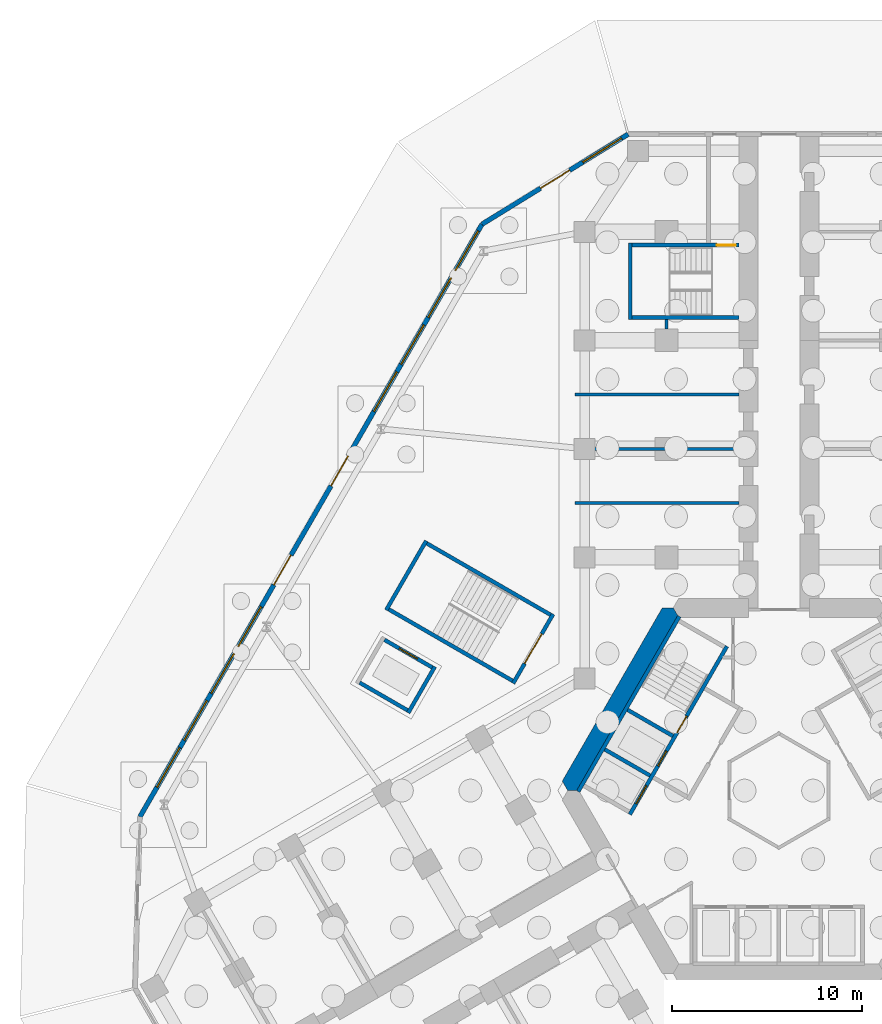
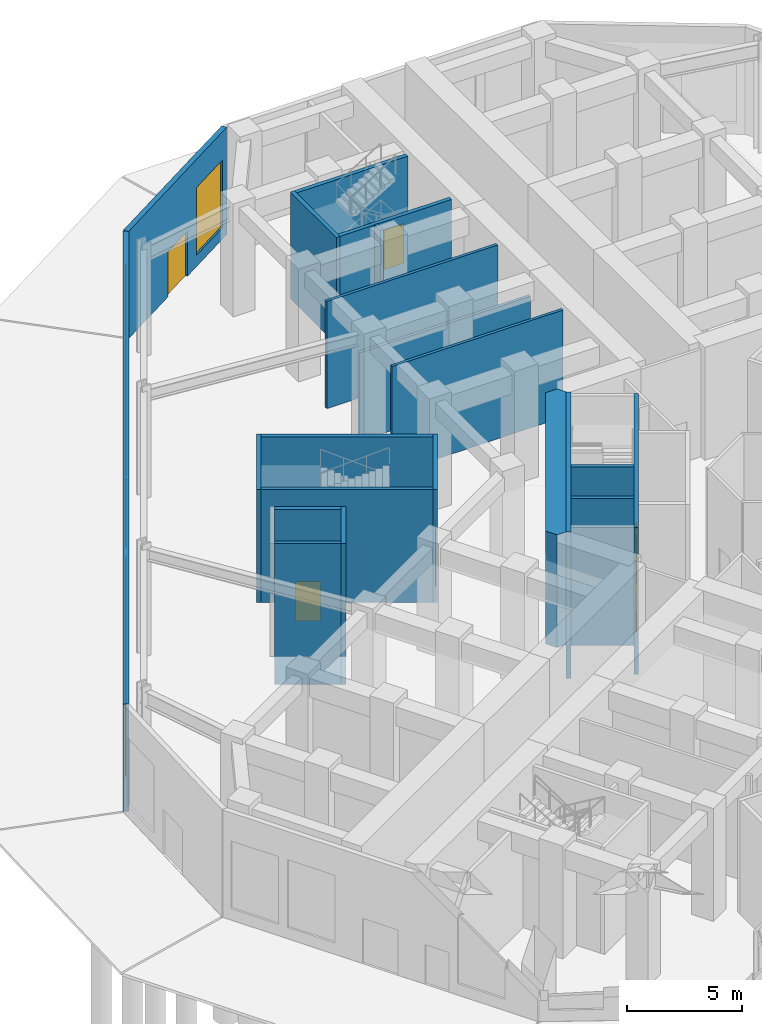
# One storey, part 8 of 16: 21 walls, 9 doors, 9 windows, 18 openings.
"""IFC4 building model written with IfcOpenShell, lengths in metres."""

from ifc_helpers import new_model, si_unit, direction, frame, frame_2d, origin, place, context, subcontext, project, spatial, polyline, rectangle, outline, extrude, material, layer, layer_set, type_object, element, fill, save


model = new_model("IFC4")

# Units and contexts
model_context = context("Model", 3, precision=1e-05, world=origin(), true_north=direction((0.0, 1.0)))
body_context = subcontext(model_context, "Body", "Model", "MODEL_VIEW")
ifc_project = project(units=[si_unit("LENGTHUNIT", "METRE"), si_unit("AREAUNIT", "SQUARE_METRE"), si_unit("VOLUMEUNIT", "CUBIC_METRE"), si_unit("PLANEANGLEUNIT", "RADIAN"), si_unit("MASSUNIT", "GRAM", prefix="KILO")], contexts=[model_context])

# Site, building, storey
site_placement = place(None, origin())
site = spatial("IfcSite", under=ifc_project, at=site_placement, CompositionType="ELEMENT")
building_placement = place(site_placement, origin())
building = spatial("IfcBuilding", under=site, at=building_placement, Name="Kosmar Iwan School Tower", CompositionType="ELEMENT")
storey_placement = place(building_placement, origin())
storey = spatial("IfcBuildingStorey", under=building, at=storey_placement, Name="L00", CompositionType="ELEMENT", Elevation=0.0)

# Wall
ifc_material_1 = material(Name="Concrete C50/60", Category="concrete")
ifc_layer_1 = layer(ifc_material_1, 1.0)
ifc_layer_set_1 = layer_set([ifc_layer_1], Name="Core wall 1000")
wall_type_1 = type_object("IfcWallType", Name="Core wall 1000", PredefinedType="SHEAR", material=ifc_layer_set_1)
wall_1_placement = place(storey_placement, origin())
element("IfcWall", 1, at=wall_1_placement, inside=storey, type_object=wall_type_1, Name="Core wall F150", PredefinedType="SHEAR", context=body_context, shape_type="SweptSolid", body=[
    extrude(outline(polyline([(-11.085205078125, 0.0), (-10.5078125, 0.0), (-5.25390625, 9.10009765625), (-5.54248046875, 9.60009765625), (-6.119873046875, 9.60009765625), (-11.373779296875, 0.5), (-11.085205078125, 0.0)])), origin(), (0.0, 0.0, 1.0), 6.0),
])

# Wall, openings, door, window
ifc_material_2 = material(Name="Black steel framed glazed screen", Category="steel")
ifc_layer_2 = layer(ifc_material_2, 0.25)
ifc_layer_set_2 = layer_set([ifc_layer_2], Name="Entrance screen wall 250")
wall_type_2 = type_object("IfcWallType", Name="Entrance screen wall 250", PredefinedType="SOLIDWALL", material=ifc_layer_set_2)
wall_2_placement = place(storey_placement, frame((-7.91455078125, 34.47509765625, 0.0), z_axis=(0.0, 0.0, 1.0), x_axis=(-0.851479708041, -0.524387554004, 0.0)))
wall_2 = element("IfcWall", 2, at=wall_2_placement, inside=storey, type_object=wall_type_2, Name="Entrance screen L00 L00-F07", PredefinedType="SOLIDWALL", context=body_context, shape_type="SweptSolid", body=[
    extrude(rectangle(XDim=9.013427734375, YDim=0.25, at=frame_2d((4.5068359375, 0.0))), origin(), (0.0, 0.0, 1.0), 5.699951171875),
])
opening_1_placement = place(wall_2_placement, frame((3.606689453125, 0.0, 0.0)))
opening_1 = element("IfcOpeningElement", 3, at=opening_1_placement, cuts=wall_2, Name="Opening D10", PredefinedType="OPENING", context=body_context, shape_type="SweptSolid", body=[
    extrude(rectangle(XDim=1.800048828125, YDim=2.39990234375, at=frame_2d((0.89990234375, 1.199951171875))), frame((0.0, 0.136962890625, 0.0), z_axis=(0.0, -1.0, 0.0), x_axis=(1.0, 0.0, 0.0)), (0.0, 0.0, 1.0), 0.27392578125),
])
opening_2_placement = place(wall_2_placement, frame((0.39990234375, 0.0, 0.60009765625)))
opening_2 = element("IfcOpeningElement", 4, at=opening_2_placement, cuts=wall_2, Name="Opening W3", PredefinedType="OPENING", context=body_context, shape_type="SweptSolid", body=[
    extrude(rectangle(XDim=2.39990234375, YDim=3.60009765625, at=frame_2d((1.199951171875, 1.800048828125))), frame((0.0, 0.136962890625, 0.0), z_axis=(0.0, -1.0, 0.0), x_axis=(1.0, 0.0, 0.0)), (0.0, 0.0, 1.0), 0.27392578125),
])
ifc_material_3 = material(Name="Black steel framed glazed door", Category="steel")
door_type_1 = type_object("IfcDoorType", Name="Entrance door pair 1800x2400", OperationType="DOUBLE_DOOR_SINGLE_SWING", PredefinedType="DOOR", material=ifc_material_3)
door_1_placement = place(opening_1_placement, frame((1.800048828125, 0.0, 0.0), z_axis=(0.0, 0.0, 1.0), x_axis=(-1.0, 0.0, 0.0)))
door_1 = element("IfcDoor", 5, at=door_1_placement, inside=storey, type_object=door_type_1, Name="Entrance doors L00-F07 1", OperationType="DOUBLE_DOOR_SINGLE_SWING", OverallHeight=2.39990234375, OverallWidth=1.800048828125, PredefinedType="DOOR", context=body_context, shape_type="SweptSolid", body=[
    extrude(rectangle(XDim=1.800048828125, YDim=2.39990234375, at=frame_2d((0.89990234375, 1.199951171875))), frame((0.0, 0.02490234375, 0.0), z_axis=(0.0, -1.0, 0.0), x_axis=(1.0, 0.0, 0.0)), (0.0, 0.0, 1.0), 0.050048828125),
])
fill(opening_1, door_1)
ifc_material_4 = material(Name="Black aluminium frame with dark triple glazing", Category="aluminium")
window_type = type_object("IfcWindowType", Name="Screen window 2400x3600", PartitioningType="SINGLE_PANEL", PredefinedType="WINDOW", material=ifc_material_4)
window_1_placement = place(opening_2_placement, origin())
window_1 = element("IfcWindow", 6, at=window_1_placement, inside=storey, type_object=window_type, Name="Screen window L00-F07", OverallHeight=3.60009765625, OverallWidth=2.39990234375, PartitioningType="SINGLE_PANEL", PredefinedType="WINDOW", context=body_context, shape_type="SweptSolid", body=[
    extrude(rectangle(XDim=2.39990234375, YDim=3.60009765625, at=frame_2d((1.199951171875, 1.800048828125))), frame((0.0, 0.030029296875, 0.0), z_axis=(0.0, -1.0, 0.0), x_axis=(1.0, 0.0, 0.0)), (0.0, 0.0, 1.0), 0.06005859375),
])
fill(opening_2, window_1)

# Wall, openings, doors, windows
wall_3_placement = place(storey_placement, frame((-15.58935546875, 29.74853515625, 0.0), z_axis=(0.0, 0.0, 1.0), x_axis=(-0.499998456576, -0.866026294879, 0.0)))
wall_3 = element("IfcWall", 7, at=wall_3_placement, inside=storey, type_object=wall_type_2, Name="Entrance screen L00 L00-F08", PredefinedType="SOLIDWALL", context=body_context, shape_type="SweptSolid", body=[
    extrude(rectangle(XDim=35.9365234375, YDim=0.25, at=frame_2d((17.96826171875, 0.0))), origin(), (0.0, 0.0, 1.0), 5.699951171875),
])
opening_3_placement = place(wall_3_placement, frame((14.068359375, 0.0, 0.0)))
opening_3 = element("IfcOpeningElement", 8, at=opening_3_placement, cuts=wall_3, Name="Opening D10", PredefinedType="OPENING", context=body_context, shape_type="SweptSolid", body=[
    extrude(rectangle(XDim=1.800048828125, YDim=2.39990234375, at=frame_2d((0.89990234375, 1.199951171875))), frame((0.0, 0.136962890625, 0.0), z_axis=(0.0, -1.0, 0.0), x_axis=(1.0, 0.0, 0.0)), (0.0, 0.0, 1.0), 0.27392578125),
])
opening_4_placement = place(wall_3_placement, frame((20.068359375, 0.0, 0.0)))
opening_4 = element("IfcOpeningElement", 9, at=opening_4_placement, cuts=wall_3, Name="Opening D10", PredefinedType="OPENING", context=body_context, shape_type="SweptSolid", body=[
    extrude(rectangle(XDim=1.800048828125, YDim=2.39990234375, at=frame_2d((0.89990234375, 1.199951171875))), frame((0.0, 0.136962890625, 0.0), z_axis=(0.0, -1.0, 0.0), x_axis=(1.0, 0.0, 0.0)), (0.0, 0.0, 1.0), 0.27392578125),
])
opening_5_placement = place(wall_3_placement, frame((0.39990234375, 0.0, 0.60009765625)))
opening_5 = element("IfcOpeningElement", 10, at=opening_5_placement, cuts=wall_3, Name="Opening W3", PredefinedType="OPENING", context=body_context, shape_type="SweptSolid", body=[
    extrude(rectangle(XDim=2.39990234375, YDim=3.60009765625, at=frame_2d((1.199951171875, 1.800048828125))), frame((0.0, 0.136962890625, 0.0), z_axis=(0.0, -1.0, 0.0), x_axis=(1.0, 0.0, 0.0)), (0.0, 0.0, 1.0), 0.27392578125),
])
opening_6_placement = place(wall_3_placement, frame((3.25, 0.0, 0.60009765625)))
opening_6 = element("IfcOpeningElement", 11, at=opening_6_placement, cuts=wall_3, Name="Opening W3", PredefinedType="OPENING", context=body_context, shape_type="SweptSolid", body=[
    extrude(rectangle(XDim=2.39990234375, YDim=3.60009765625, at=frame_2d((1.199951171875, 1.800048828125))), frame((0.0, 0.136962890625, 0.0), z_axis=(0.0, -1.0, 0.0), x_axis=(1.0, 0.0, 0.0)), (0.0, 0.0, 1.0), 0.27392578125),
])
opening_7_placement = place(wall_3_placement, frame((6.10009765625, 0.0, 0.60009765625)))
opening_7 = element("IfcOpeningElement", 12, at=opening_7_placement, cuts=wall_3, Name="Opening W3", PredefinedType="OPENING", context=body_context, shape_type="SweptSolid", body=[
    extrude(rectangle(XDim=2.39990234375, YDim=3.60009765625, at=frame_2d((1.199951171875, 1.800048828125))), frame((0.0, 0.136962890625, 0.0), z_axis=(0.0, -1.0, 0.0), x_axis=(1.0, 0.0, 0.0)), (0.0, 0.0, 1.0), 0.27392578125),
])
opening_8_placement = place(wall_3_placement, frame((8.949951171875, 0.0, 0.60009765625)))
opening_8 = element("IfcOpeningElement", 13, at=opening_8_placement, cuts=wall_3, Name="Opening W3", PredefinedType="OPENING", context=body_context, shape_type="SweptSolid", body=[
    extrude(rectangle(XDim=2.39990234375, YDim=3.60009765625, at=frame_2d((1.199951171875, 1.800048828125))), frame((0.0, 0.136962890625, 0.0), z_axis=(0.0, -1.0, 0.0), x_axis=(1.0, 0.0, 0.0)), (0.0, 0.0, 1.0), 0.27392578125),
])
opening_9_placement = place(wall_3_placement, frame((23.199951171875, 0.0, 0.60009765625)))
opening_9 = element("IfcOpeningElement", 14, at=opening_9_placement, cuts=wall_3, Name="Opening W3", PredefinedType="OPENING", context=body_context, shape_type="SweptSolid", body=[
    extrude(rectangle(XDim=2.39990234375, YDim=3.60009765625, at=frame_2d((1.199951171875, 1.800048828125))), frame((0.0, 0.136962890625, 0.0), z_axis=(0.0, -1.0, 0.0), x_axis=(1.0, 0.0, 0.0)), (0.0, 0.0, 1.0), 0.27392578125),
])
opening_10_placement = place(wall_3_placement, frame((26.050048828125, 0.0, 0.60009765625)))
opening_10 = element("IfcOpeningElement", 15, at=opening_10_placement, cuts=wall_3, Name="Opening W3", PredefinedType="OPENING", context=body_context, shape_type="SweptSolid", body=[
    extrude(rectangle(XDim=2.39990234375, YDim=3.60009765625, at=frame_2d((1.199951171875, 1.800048828125))), frame((0.0, 0.136962890625, 0.0), z_axis=(0.0, -1.0, 0.0), x_axis=(1.0, 0.0, 0.0)), (0.0, 0.0, 1.0), 0.27392578125),
])
opening_11_placement = place(wall_3_placement, frame((28.89990234375, 0.0, 0.60009765625)))
opening_11 = element("IfcOpeningElement", 16, at=opening_11_placement, cuts=wall_3, Name="Opening W3", PredefinedType="OPENING", context=body_context, shape_type="SweptSolid", body=[
    extrude(rectangle(XDim=2.39990234375, YDim=3.60009765625, at=frame_2d((1.199951171875, 1.800048828125))), frame((0.0, 0.136962890625, 0.0), z_axis=(0.0, -1.0, 0.0), x_axis=(1.0, 0.0, 0.0)), (0.0, 0.0, 1.0), 0.27392578125),
])
opening_12_placement = place(wall_3_placement, frame((31.75, 0.0, 0.60009765625)))
opening_12 = element("IfcOpeningElement", 17, at=opening_12_placement, cuts=wall_3, Name="Opening W3", PredefinedType="OPENING", context=body_context, shape_type="SweptSolid", body=[
    extrude(rectangle(XDim=2.39990234375, YDim=3.60009765625, at=frame_2d((1.199951171875, 1.800048828125))), frame((0.0, 0.136962890625, 0.0), z_axis=(0.0, -1.0, 0.0), x_axis=(1.0, 0.0, 0.0)), (0.0, 0.0, 1.0), 0.27392578125),
])
door_2_placement = place(opening_3_placement, frame((1.800048828125, 0.0, 0.0), z_axis=(0.0, 0.0, 1.0), x_axis=(-1.0, 0.0, 0.0)))
door_2 = element("IfcDoor", 18, at=door_2_placement, inside=storey, type_object=door_type_1, Name="Entrance doors L00-F08 1", OperationType="DOUBLE_DOOR_SINGLE_SWING", OverallHeight=2.39990234375, OverallWidth=1.800048828125, PredefinedType="DOOR", context=body_context, shape_type="SweptSolid", body=[
    extrude(rectangle(XDim=1.800048828125, YDim=2.39990234375, at=frame_2d((0.89990234375, 1.199951171875))), frame((0.0, 0.02490234375, 0.0), z_axis=(0.0, -1.0, 0.0), x_axis=(1.0, 0.0, 0.0)), (0.0, 0.0, 1.0), 0.050048828125),
])
fill(opening_3, door_2)
door_3_placement = place(opening_4_placement, frame((1.800048828125, 0.0, 0.0), z_axis=(0.0, 0.0, 1.0), x_axis=(-1.0, 0.0, 0.0)))
door_3 = element("IfcDoor", 19, at=door_3_placement, inside=storey, type_object=door_type_1, Name="Entrance doors L00-F08 2", OperationType="DOUBLE_DOOR_SINGLE_SWING", OverallHeight=2.39990234375, OverallWidth=1.800048828125, PredefinedType="DOOR", context=body_context, shape_type="SweptSolid", body=[
    extrude(rectangle(XDim=1.800048828125, YDim=2.39990234375, at=frame_2d((0.89990234375, 1.199951171875))), frame((0.0, 0.02490234375, 0.0), z_axis=(0.0, -1.0, 0.0), x_axis=(1.0, 0.0, 0.0)), (0.0, 0.0, 1.0), 0.050048828125),
])
fill(opening_4, door_3)
window_2_placement = place(opening_5_placement, origin())
window_2 = element("IfcWindow", 20, at=window_2_placement, inside=storey, type_object=window_type, Name="Screen window L00-F08", OverallHeight=3.60009765625, OverallWidth=2.39990234375, PartitioningType="SINGLE_PANEL", PredefinedType="WINDOW", context=body_context, shape_type="SweptSolid", body=[
    extrude(rectangle(XDim=2.39990234375, YDim=3.60009765625, at=frame_2d((1.199951171875, 1.800048828125))), frame((0.0, 0.030029296875, 0.0), z_axis=(0.0, -1.0, 0.0), x_axis=(1.0, 0.0, 0.0)), (0.0, 0.0, 1.0), 0.06005859375),
])
fill(opening_5, window_2)
window_3_placement = place(opening_6_placement, origin())
window_3 = element("IfcWindow", 21, at=window_3_placement, inside=storey, type_object=window_type, Name="Screen window L00-F08", OverallHeight=3.60009765625, OverallWidth=2.39990234375, PartitioningType="SINGLE_PANEL", PredefinedType="WINDOW", context=body_context, shape_type="SweptSolid", body=[
    extrude(rectangle(XDim=2.39990234375, YDim=3.60009765625, at=frame_2d((1.199951171875, 1.800048828125))), frame((0.0, 0.030029296875, 0.0), z_axis=(0.0, -1.0, 0.0), x_axis=(1.0, 0.0, 0.0)), (0.0, 0.0, 1.0), 0.06005859375),
])
fill(opening_6, window_3)
window_4_placement = place(opening_7_placement, origin())
window_4 = element("IfcWindow", 22, at=window_4_placement, inside=storey, type_object=window_type, Name="Screen window L00-F08", OverallHeight=3.60009765625, OverallWidth=2.39990234375, PartitioningType="SINGLE_PANEL", PredefinedType="WINDOW", context=body_context, shape_type="SweptSolid", body=[
    extrude(rectangle(XDim=2.39990234375, YDim=3.60009765625, at=frame_2d((1.199951171875, 1.800048828125))), frame((0.0, 0.030029296875, 0.0), z_axis=(0.0, -1.0, 0.0), x_axis=(1.0, 0.0, 0.0)), (0.0, 0.0, 1.0), 0.06005859375),
])
fill(opening_7, window_4)
window_5_placement = place(opening_8_placement, origin())
window_5 = element("IfcWindow", 23, at=window_5_placement, inside=storey, type_object=window_type, Name="Screen window L00-F08", OverallHeight=3.60009765625, OverallWidth=2.39990234375, PartitioningType="SINGLE_PANEL", PredefinedType="WINDOW", context=body_context, shape_type="SweptSolid", body=[
    extrude(rectangle(XDim=2.39990234375, YDim=3.60009765625, at=frame_2d((1.199951171875, 1.800048828125))), frame((0.0, 0.030029296875, 0.0), z_axis=(0.0, -1.0, 0.0), x_axis=(1.0, 0.0, 0.0)), (0.0, 0.0, 1.0), 0.06005859375),
])
fill(opening_8, window_5)
window_6_placement = place(opening_9_placement, origin())
window_6 = element("IfcWindow", 24, at=window_6_placement, inside=storey, type_object=window_type, Name="Screen window L00-F08", OverallHeight=3.60009765625, OverallWidth=2.39990234375, PartitioningType="SINGLE_PANEL", PredefinedType="WINDOW", context=body_context, shape_type="SweptSolid", body=[
    extrude(rectangle(XDim=2.39990234375, YDim=3.60009765625, at=frame_2d((1.199951171875, 1.800048828125))), frame((0.0, 0.030029296875, 0.0), z_axis=(0.0, -1.0, 0.0), x_axis=(1.0, 0.0, 0.0)), (0.0, 0.0, 1.0), 0.06005859375),
])
fill(opening_9, window_6)
window_7_placement = place(opening_10_placement, origin())
window_7 = element("IfcWindow", 25, at=window_7_placement, inside=storey, type_object=window_type, Name="Screen window L00-F08", OverallHeight=3.60009765625, OverallWidth=2.39990234375, PartitioningType="SINGLE_PANEL", PredefinedType="WINDOW", context=body_context, shape_type="SweptSolid", body=[
    extrude(rectangle(XDim=2.39990234375, YDim=3.60009765625, at=frame_2d((1.199951171875, 1.800048828125))), frame((0.0, 0.030029296875, 0.0), z_axis=(0.0, -1.0, 0.0), x_axis=(1.0, 0.0, 0.0)), (0.0, 0.0, 1.0), 0.06005859375),
])
fill(opening_10, window_7)
window_8_placement = place(opening_11_placement, origin())
window_8 = element("IfcWindow", 26, at=window_8_placement, inside=storey, type_object=window_type, Name="Screen window L00-F08", OverallHeight=3.60009765625, OverallWidth=2.39990234375, PartitioningType="SINGLE_PANEL", PredefinedType="WINDOW", context=body_context, shape_type="SweptSolid", body=[
    extrude(rectangle(XDim=2.39990234375, YDim=3.60009765625, at=frame_2d((1.199951171875, 1.800048828125))), frame((0.0, 0.030029296875, 0.0), z_axis=(0.0, -1.0, 0.0), x_axis=(1.0, 0.0, 0.0)), (0.0, 0.0, 1.0), 0.06005859375),
])
fill(opening_11, window_8)
window_9_placement = place(opening_12_placement, origin())
window_9 = element("IfcWindow", 27, at=window_9_placement, inside=storey, type_object=window_type, Name="Screen window L00-F08", OverallHeight=3.60009765625, OverallWidth=2.39990234375, PartitioningType="SINGLE_PANEL", PredefinedType="WINDOW", context=body_context, shape_type="SweptSolid", body=[
    extrude(rectangle(XDim=2.39990234375, YDim=3.60009765625, at=frame_2d((1.199951171875, 1.800048828125))), frame((0.0, 0.030029296875, 0.0), z_axis=(0.0, -1.0, 0.0), x_axis=(1.0, 0.0, 0.0)), (0.0, 0.0, 1.0), 0.06005859375),
])
fill(opening_12, window_9)

# Wall
ifc_material_5 = material(Name="Concrete C35/45", Category="concrete")
ifc_layer_3 = layer(ifc_material_5, 0.199951171875)
ifc_layer_set_3 = layer_set([ifc_layer_3], Name="Escape stair wall 200")
wall_type_3 = type_object("IfcWallType", Name="Escape stair wall 200", PredefinedType="SHEAR", material=ifc_layer_set_3)
wall_4_placement = place(storey_placement, frame((-2.10009765625, 24.85009765625, 0.0), z_axis=(0.0, 0.0, 1.0), x_axis=(-1.0, 0.0, 0.0)))
element("IfcWall", 28, at=wall_4_placement, inside=storey, type_object=wall_type_3, Name="Stair WS1 wall", PredefinedType="SHEAR", context=body_context, shape_type="SweptSolid", body=[
    extrude(rectangle(XDim=5.7998046875, YDim=0.199951171875, at=frame_2d((2.89990234375, 0.0))), origin(), (0.0, 0.0, 1.0), 5.679931640625),
])

# Wall, opening, door
wall_5_placement = place(storey_placement, frame((-2.10009765625, 28.64990234375, 0.0), z_axis=(0.0, 0.0, 1.0), x_axis=(-1.0, 0.0, 0.0)))
wall_5 = element("IfcWall", 29, at=wall_5_placement, inside=storey, type_object=wall_type_3, Name="Stair WS1 wall", PredefinedType="SHEAR", context=body_context, shape_type="SweptSolid", body=[
    extrude(rectangle(XDim=5.7998046875, YDim=0.199951171875, at=frame_2d((2.89990234375, 0.0))), origin(), (0.0, 0.0, 1.0), 5.679931640625),
])
opening_13_placement = place(wall_5_placement, frame((0.14990234375, 0.0, 0.0)))
opening_13 = element("IfcOpeningElement", 30, at=opening_13_placement, cuts=wall_5, Name="Opening D6", PredefinedType="OPENING", context=body_context, shape_type="SweptSolid", body=[
    extrude(rectangle(XDim=1.0, YDim=2.10009765625, at=frame_2d((0.5, 1.050048828125))), frame((0.0, 0.112060546875, 0.0), z_axis=(0.0, -1.0, 0.0), x_axis=(1.0, 0.0, 0.0)), (0.0, 0.0, 1.0), 0.223876953125),
])
ifc_material_6 = material(Name="Steel fire door", Category="steel")
door_type_2 = type_object("IfcDoorType", Name="Stair door 1000x2100", OperationType="SINGLE_SWING_LEFT", PredefinedType="DOOR", material=ifc_material_6)
door_4_placement = place(opening_13_placement, origin())
door_4 = element("IfcDoor", 31, at=door_4_placement, inside=storey, type_object=door_type_2, Name="Stair WS1 passage door L00", OperationType="SINGLE_SWING_LEFT", OverallHeight=2.10009765625, OverallWidth=1.0, PredefinedType="DOOR", context=body_context, shape_type="SweptSolid", body=[
    extrude(rectangle(XDim=1.0, YDim=2.10009765625, at=frame_2d((0.5, 1.050048828125))), frame((0.0, 0.02490234375, 0.0), z_axis=(0.0, -1.0, 0.0), x_axis=(1.0, 0.0, 0.0)), (0.0, 0.0, 1.0), 0.050048828125),
])
fill(opening_13, door_4)

# Wall
wall_6_placement = place(storey_placement, frame((-7.800048828125, 24.75, 0.0), z_axis=(0.0, 0.0, 1.0), x_axis=(0.0, 1.0, 0.0)))
element("IfcWall", 32, at=wall_6_placement, inside=storey, type_object=wall_type_3, Name="Stair WS1 wall", PredefinedType="SHEAR", context=body_context, shape_type="SweptSolid", body=[
    extrude(rectangle(XDim=4.0, YDim=0.199951171875, at=frame_2d((2.0, 0.0))), origin(), (0.0, 0.0, 1.0), 5.679931640625),
])

# Wall, openings, doors
ifc_material_7 = material(Name="Concrete C50/60", Category="concrete")
ifc_layer_4 = layer(ifc_material_7, 0.199951171875)
ifc_layer_set_4 = layer_set([ifc_layer_4], Name="Lift shaft wall 200")
wall_type_4 = type_object("IfcWallType", Name="Lift shaft wall 200", PredefinedType="SHEAR", material=ifc_layer_set_4)
wall_7_placement = place(storey_placement, frame((-2.72607421875, 7.578369140625, -1.800048828125), z_axis=(0.0, 0.0, 1.0), x_axis=(-0.500005610874, -0.86602216432, 0.0)))
wall_7 = element("IfcWall", 33, at=wall_7_placement, inside=storey, type_object=wall_type_4, Name="Lift and stair front wall AB", PredefinedType="SHEAR", context=body_context, shape_type="SweptSolid", body=[
    extrude(rectangle(XDim=10.2001953125, YDim=0.199951171875, at=frame_2d((5.10009765625, 0.0))), origin(), (0.0, 0.0, 1.0), 7.800048828125),
])
opening_14_placement = place(wall_7_placement, frame((6.35009765625, 0.0, 1.800048828125)))
opening_14 = element("IfcOpeningElement", 34, at=opening_14_placement, cuts=wall_7, Name="Opening LD2", PredefinedType="OPENING", context=body_context, shape_type="SweptSolid", body=[
    extrude(rectangle(XDim=0.89990234375, YDim=2.10009765625, at=frame_2d((0.449951171875, 1.050048828125))), frame((0.0, 0.112060546875, 0.0), z_axis=(0.0, -1.0, 0.0), x_axis=(1.0, 0.0, 0.0)), (0.0, 0.0, 1.0), 0.223876953125),
])
opening_15_placement = place(wall_7_placement, frame((8.449951171875, 0.0, 1.800048828125)))
opening_15 = element("IfcOpeningElement", 35, at=opening_15_placement, cuts=wall_7, Name="Opening LD1", PredefinedType="OPENING", context=body_context, shape_type="SweptSolid", body=[
    extrude(rectangle(XDim=1.10009765625, YDim=2.10009765625, at=frame_2d((0.550048828125, 1.050048828125))), frame((0.0, 0.112060546875, 0.0), z_axis=(0.0, -1.0, 0.0), x_axis=(1.0, 0.0, 0.0)), (0.0, 0.0, 1.0), 0.223876953125),
])
opening_16_placement = place(wall_7_placement, frame((4.22998046875, 0.0, 1.800048828125)))
opening_16 = element("IfcOpeningElement", 36, at=opening_16_placement, cuts=wall_7, Name="Opening D6", PredefinedType="OPENING", context=body_context, shape_type="SweptSolid", body=[
    extrude(rectangle(XDim=1.0, YDim=2.10009765625, at=frame_2d((0.5, 1.050048828125))), frame((0.0, 0.112060546875, 0.0), z_axis=(0.0, -1.0, 0.0), x_axis=(1.0, 0.0, 0.0)), (0.0, 0.0, 1.0), 0.223876953125),
])
ifc_material_8 = material(Name="Stainless steel sliding lift door", Category="steel")
door_type_3 = type_object("IfcDoorType", Name="Firefighting lift landing door 900x2100", OperationType="SLIDING_TO_LEFT", PredefinedType="DOOR", material=ifc_material_8)
door_5_placement = place(opening_14_placement, origin())
door_5 = element("IfcDoor", 37, at=door_5_placement, inside=storey, type_object=door_type_3, Name="Lift FF2 landing door L00", OperationType="SLIDING_TO_LEFT", OverallHeight=2.10009765625, OverallWidth=0.89990234375, PredefinedType="DOOR", context=body_context, shape_type="SweptSolid", body=[
    extrude(rectangle(XDim=0.89990234375, YDim=2.10009765625, at=frame_2d((0.449951171875, 1.050048828125))), frame((0.0, 0.02490234375, 0.0), z_axis=(0.0, -1.0, 0.0), x_axis=(1.0, 0.0, 0.0)), (0.0, 0.0, 1.0), 0.050048828125),
])
fill(opening_14, door_5)
ifc_material_9 = material(Name="Stainless steel sliding lift door", Category="steel")
door_type_4 = type_object("IfcDoorType", Name="Lift landing door 1100x2100", OperationType="SLIDING_TO_LEFT", PredefinedType="DOOR", material=ifc_material_9)
door_6_placement = place(opening_15_placement, origin())
door_6 = element("IfcDoor", 38, at=door_6_placement, inside=storey, type_object=door_type_4, Name="Lift PL6 landing door L00", OperationType="SLIDING_TO_LEFT", OverallHeight=2.10009765625, OverallWidth=1.10009765625, PredefinedType="DOOR", context=body_context, shape_type="SweptSolid", body=[
    extrude(rectangle(XDim=1.10009765625, YDim=2.10009765625, at=frame_2d((0.550048828125, 1.050048828125))), frame((0.0, 0.02490234375, 0.0), z_axis=(0.0, -1.0, 0.0), x_axis=(1.0, 0.0, 0.0)), (0.0, 0.0, 1.0), 0.050048828125),
])
fill(opening_15, door_6)
door_7_placement = place(opening_16_placement, origin())
door_7 = element("IfcDoor", 39, at=door_7_placement, inside=storey, type_object=door_type_2, Name="Stair ST2 door L00", OperationType="SINGLE_SWING_LEFT", OverallHeight=2.10009765625, OverallWidth=1.0, PredefinedType="DOOR", context=body_context, shape_type="SweptSolid", body=[
    extrude(rectangle(XDim=1.0, YDim=2.10009765625, at=frame_2d((0.5, 1.050048828125))), frame((0.0, 0.02490234375, 0.0), z_axis=(0.0, -1.0, 0.0), x_axis=(1.0, 0.0, 0.0)), (0.0, 0.0, 1.0), 0.050048828125),
])
fill(opening_16, door_7)

# Walls
wall_8_placement = place(storey_placement, frame((-5.22509765625, 9.14990234375, -1.800048828125), z_axis=(0.0, 0.0, 1.0), x_axis=(-0.499994998079, -0.866028291626, 0.0)))
element("IfcWall", 40, at=wall_8_placement, inside=storey, type_object=wall_type_4, Name="Lift and stair back wall AB", PredefinedType="SHEAR", context=body_context, shape_type="SweptSolid", body=[
    extrude(rectangle(XDim=10.623046875, YDim=0.199951171875, at=frame_2d((5.3115234375, 0.0))), origin(), (0.0, 0.0, 1.0), 7.800048828125),
])
wall_9_placement = place(storey_placement, frame((-6.7626953125, 0.78662109375, -1.800048828125), z_axis=(0.0, 0.0, 1.0), x_axis=(-0.866027397988, 0.499996545922, 0.0)))
element("IfcWall", 41, at=wall_9_placement, inside=storey, type_object=wall_type_4, Name="Lift shaft wall AB 1", PredefinedType="SHEAR", context=body_context, shape_type="SweptSolid", body=[
    extrude(rectangle(XDim=2.75, YDim=0.199951171875, at=frame_2d((1.375, 0.0))), origin(), (0.0, 0.0, 1.0), 7.800048828125),
])
wall_10_placement = place(storey_placement, frame((-18.06787109375, 6.505615234375, -1.5), z_axis=(0.0, 0.0, 1.0), x_axis=(-0.49994636267, -0.866056369097, 0.0)))
element("IfcWall", 42, at=wall_10_placement, inside=storey, type_object=wall_type_4, Name="School lift SL2 shaft wall", PredefinedType="SHEAR", context=body_context, shape_type="SweptSolid", body=[
    extrude(rectangle(XDim=2.800048828125, YDim=0.199951171875, at=frame_2d((1.39990234375, 0.0))), origin(), (0.0, 0.0, 1.0), 7.5),
])
wall_11_placement = place(storey_placement, frame((-19.50439453125, 4.21728515625, -1.5), z_axis=(0.0, 0.0, 1.0), x_axis=(-0.866032775405, 0.499987231761, 0.0)))
element("IfcWall", 43, at=wall_11_placement, inside=storey, type_object=wall_type_4, Name="School lift SL2 shaft wall", PredefinedType="SHEAR", context=body_context, shape_type="SweptSolid", body=[
    extrude(rectangle(XDim=2.89990234375, YDim=0.199951171875, at=frame_2d((1.449951171875, 0.0))), origin(), (0.0, 0.0, 1.0), 7.5),
])

# Wall, opening, door
wall_12_placement = place(storey_placement, frame((-18.20458984375, 6.468994140625, -1.5), z_axis=(0.0, 0.0, 1.0), x_axis=(-0.866032775405, 0.499987231761, 0.0)))
wall_12 = element("IfcWall", 44, at=wall_12_placement, inside=storey, type_object=wall_type_4, Name="School lift SL2 shaft wall", PredefinedType="SHEAR", context=body_context, shape_type="SweptSolid", body=[
    extrude(rectangle(XDim=2.89990234375, YDim=0.199951171875, at=frame_2d((1.449951171875, 0.0))), origin(), (0.0, 0.0, 1.0), 7.5),
])
opening_17_placement = place(wall_12_placement, frame((0.89990234375, 0.0, 1.5)))
opening_17 = element("IfcOpeningElement", 45, at=opening_17_placement, cuts=wall_12, Name="Opening LD1", PredefinedType="OPENING", context=body_context, shape_type="SweptSolid", body=[
    extrude(rectangle(XDim=1.10009765625, YDim=2.10009765625, at=frame_2d((0.550048828125, 1.050048828125))), frame((0.0, 0.112060546875, 0.0), z_axis=(0.0, -1.0, 0.0), x_axis=(1.0, 0.0, 0.0)), (0.0, 0.0, 1.0), 0.223876953125),
])
door_8_placement = place(opening_17_placement, origin())
door_8 = element("IfcDoor", 46, at=door_8_placement, inside=storey, type_object=door_type_4, Name="Lift SL2 landing door L00", OperationType="SLIDING_TO_LEFT", OverallHeight=2.10009765625, OverallWidth=1.10009765625, PredefinedType="DOOR", context=body_context, shape_type="SweptSolid", body=[
    extrude(rectangle(XDim=1.10009765625, YDim=2.10009765625, at=frame_2d((0.550048828125, 1.050048828125))), frame((0.0, 0.02490234375, 0.0), z_axis=(0.0, -1.0, 0.0), x_axis=(1.0, 0.0, 0.0)), (0.0, 0.0, 1.0), 0.050048828125),
])
fill(opening_17, door_8)

# Walls
ifc_material_10 = material(Name="Gypsum board on steel studs", Category="steel")
ifc_layer_5 = layer(ifc_material_10, 0.14990234375)
ifc_layer_set_5 = layer_set([ifc_layer_5], Name="School partition 150")
wall_type_5 = type_object("IfcWallType", Name="School partition 150", PredefinedType="PARTITIONING", material=ifc_layer_set_5)
wall_13_placement = place(storey_placement, frame((-5.89990234375, 24.25, 0.0), z_axis=(0.0, 0.0, 1.0), x_axis=(0.0, 1.0, 0.0)))
element("IfcWall", 47, at=wall_13_placement, inside=storey, type_object=wall_type_5, Name="Partition L00-AL-NS", PredefinedType="PARTITIONING", context=body_context, shape_type="SweptSolid", body=[
    extrude(rectangle(XDim=0.5, YDim=0.14990234375, at=frame_2d((0.25, 0.0))), origin(), (0.0, 0.0, 1.0), 5.699951171875),
])
wall_14_placement = place(storey_placement, frame((-2.10009765625, 15.10009765625, 0.0), z_axis=(0.0, 0.0, 1.0), x_axis=(-1.0, 0.0, 0.0)))
element("IfcWall", 48, at=wall_14_placement, inside=storey, type_object=wall_type_5, Name="Partition L00-AL-X1", PredefinedType="PARTITIONING", context=body_context, shape_type="SweptSolid", body=[
    extrude(rectangle(XDim=8.599853515625, YDim=0.14990234375, at=frame_2d((4.2998046875, 0.0))), origin(), (0.0, 0.0, 1.0), 5.699951171875),
])
wall_15_placement = place(storey_placement, frame((-2.10009765625, 17.949951171875, 0.0), z_axis=(0.0, 0.0, 1.0), x_axis=(-1.0, 0.0, 0.0)))
element("IfcWall", 49, at=wall_15_placement, inside=storey, type_object=wall_type_5, Name="Partition L00-AL-X2", PredefinedType="PARTITIONING", context=body_context, shape_type="SweptSolid", body=[
    extrude(rectangle(XDim=8.599853515625, YDim=0.14990234375, at=frame_2d((4.2998046875, 0.0))), origin(), (0.0, 0.0, 1.0), 4.699951171875),
])
wall_16_placement = place(storey_placement, frame((-2.10009765625, 20.800048828125, 0.0), z_axis=(0.0, 0.0, 1.0), x_axis=(-1.0, 0.0, 0.0)))
element("IfcWall", 50, at=wall_16_placement, inside=storey, type_object=wall_type_5, Name="Partition L00-AL-X3", PredefinedType="PARTITIONING", context=body_context, shape_type="SweptSolid", body=[
    extrude(rectangle(XDim=8.599853515625, YDim=0.14990234375, at=frame_2d((4.2998046875, 0.0))), origin(), (0.0, 0.0, 1.0), 5.699951171875),
])
ifc_material_11 = material(Name="Concrete C50/60", Category="concrete")
ifc_layer_6 = layer(ifc_material_11, 0.199951171875)
ifc_layer_set_6 = layer_set([ifc_layer_6], Name="Stair enclosure wall 200")
wall_type_6 = type_object("IfcWallType", Name="Stair enclosure wall 200", PredefinedType="SHEAR", material=ifc_layer_set_6)
wall_17_placement = place(storey_placement, frame((-5.562744140625, 2.865234375, 0.0), z_axis=(0.0, 0.0, 1.0), x_axis=(-0.866027397988, 0.499996545922, 0.0)))
element("IfcWall", 51, at=wall_17_placement, inside=storey, type_object=wall_type_6, Name="Stair ST2 wall", PredefinedType="SHEAR", context=body_context, shape_type="SweptSolid", body=[
    extrude(rectangle(XDim=2.75, YDim=0.199951171875, at=frame_2d((1.375, 0.0))), origin(), (0.0, 0.0, 1.0), 6.0),
])
for number, where, z_axis, x_axis, name in (
    (52, (-11.990478515625, 9.23193359375, 0.0), (0.0, 0.0, 1.0), (-0.866008863278, 0.500028647903, 0.0), "School stair SS4 wall"),
    (53, (-13.990478515625, 5.767822265625, 0.0), (0.0, 0.0, 1.0), (-0.866008863278, 0.500028647903, 0.0), "School stair SS4 wall"),
):
    element("IfcWall", number, at=place(storey_placement, frame(where, z_axis=z_axis, x_axis=x_axis)), inside=storey, type_object=wall_type_6, Name=name, PredefinedType="SHEAR", context=body_context, shape_type="SweptSolid", body=[
        extrude(rectangle(XDim=7.5, YDim=0.199951171875, at=frame_2d((3.75, 0.0))), origin(), (0.0, 0.0, 1.0), 6.0),
    ])
wall_18_placement = place(storey_placement, frame((-18.522216796875, 13.11865234375, 0.0), z_axis=(0.0, 0.0, 1.0), x_axis=(-0.49998411664, -0.866034573852, 0.0)))
element("IfcWall", 54, at=wall_18_placement, inside=storey, type_object=wall_type_6, Name="School stair SS4 wall", PredefinedType="SHEAR", context=body_context, shape_type="SweptSolid", body=[
    extrude(rectangle(XDim=4.199951171875, YDim=0.199951171875, at=frame_2d((2.10009765625, 0.0))), origin(), (0.0, 0.0, 1.0), 6.0),
])

# Wall, opening, door
wall_19_placement = place(storey_placement, frame((-11.853759765625, 9.2685546875, 0.0), z_axis=(0.0, 0.0, 1.0), x_axis=(-0.500027713859, -0.866009402589, 0.0)))
wall_19 = element("IfcWall", 55, at=wall_19_placement, inside=storey, type_object=wall_type_6, Name="School stair SS4 wall", PredefinedType="SHEAR", context=body_context, shape_type="SweptSolid", body=[
    extrude(rectangle(XDim=4.199951171875, YDim=0.199951171875, at=frame_2d((2.10009765625, 0.0))), origin(), (0.0, 0.0, 1.0), 6.0),
])
opening_18_placement = place(wall_19_placement, frame((1.199951171875, 0.0, 0.0)))
opening_18 = element("IfcOpeningElement", 56, at=opening_18_placement, cuts=wall_19, Name="Opening D8", PredefinedType="OPENING", context=body_context, shape_type="SweptSolid", body=[
    extrude(rectangle(XDim=1.800048828125, YDim=2.300048828125, at=frame_2d((0.89990234375, 1.14990234375))), frame((0.0, 0.112060546875, 0.0), z_axis=(0.0, -1.0, 0.0), x_axis=(1.0, 0.0, 0.0)), (0.0, 0.0, 1.0), 0.223876953125),
])
ifc_material_12 = material(Name="Steel fire door", Category="steel")
door_type_5 = type_object("IfcDoorType", Name="School stair door pair 1800x2300", OperationType="DOUBLE_DOOR_SINGLE_SWING", PredefinedType="DOOR", material=ifc_material_12)
door_9_placement = place(opening_18_placement, origin())
door_9 = element("IfcDoor", 57, at=door_9_placement, inside=storey, type_object=door_type_5, Name="School stair SS4 door L00", OperationType="DOUBLE_DOOR_SINGLE_SWING", OverallHeight=2.300048828125, OverallWidth=1.800048828125, PredefinedType="DOOR", context=body_context, shape_type="SweptSolid", body=[
    extrude(rectangle(XDim=1.800048828125, YDim=2.300048828125, at=frame_2d((0.89990234375, 1.14990234375))), frame((0.0, 0.02490234375, 0.0), z_axis=(0.0, -1.0, 0.0), x_axis=(1.0, 0.0, 0.0)), (0.0, 0.0, 1.0), 0.050048828125),
])
fill(opening_18, door_9)

save(model, "model.ifc")
